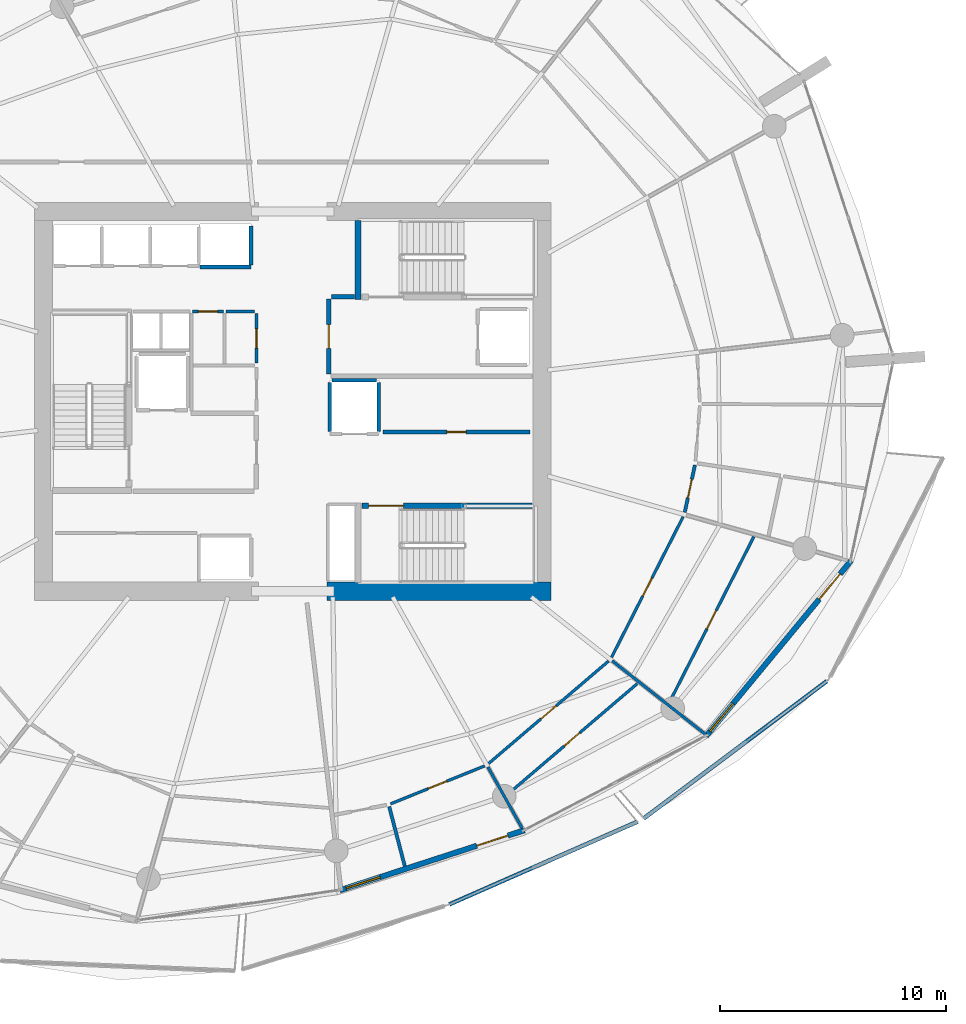
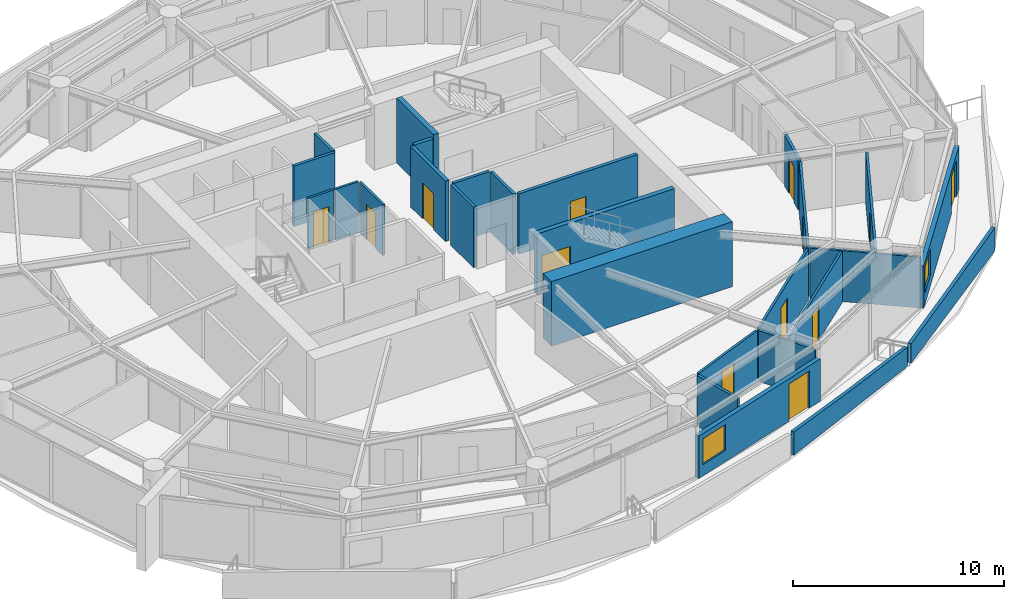
# One storey, part 13 of 20: 27 walls, 13 doors, 2 windows, 15 openings.
"""IFC4 building model written with IfcOpenShell, lengths in metres."""

from ifc_helpers import new_model, si_unit, direction, frame, frame_2d, origin, place, context, subcontext, project, spatial, polyline, rectangle, outline, extrude, material, layer, layer_set, type_object, element, fill, save


model = new_model("IFC4")

# Units and contexts
model_context = context("Model", 3, precision=1e-05, world=origin(), true_north=direction((0.0, 1.0)))
body_context = subcontext(model_context, "Body", "Model", "MODEL_VIEW")
ifc_project = project(units=[si_unit("LENGTHUNIT", "METRE"), si_unit("AREAUNIT", "SQUARE_METRE"), si_unit("VOLUMEUNIT", "CUBIC_METRE"), si_unit("PLANEANGLEUNIT", "RADIAN"), si_unit("MASSUNIT", "GRAM", prefix="KILO")], contexts=[model_context])

# Site, building, storey
site_placement = place(None, origin())
site = spatial("IfcSite", under=ifc_project, at=site_placement, CompositionType="ELEMENT")
building_placement = place(site_placement, origin())
building = spatial("IfcBuilding", under=site, at=building_placement, Name="Kazma Halo Residences", CompositionType="ELEMENT")
storey_placement = place(building_placement, frame((0.0, 0.0, 146.550048828125)))
storey = spatial("IfcBuildingStorey", under=building, at=storey_placement, Name="L36", CompositionType="ELEMENT", Elevation=146.550048828125)

# Walls
ifc_material_1 = material(Name="White Concrete C50/60 Balustrade", Category="concrete")
ifc_layer_1 = layer(ifc_material_1, 0.179931640625)
ifc_layer_set_1 = layer_set([ifc_layer_1], Name="White Concrete C50/60 Balustrade")
wall_type_1 = type_object("IfcWallType", Name="WL-BAL-WAVE-180", PredefinedType="PARAPET", material=ifc_layer_set_1)
wall_1_placement = place(storey_placement, frame((55.355712890625, 19.747314453125, 0.0), z_axis=(0.0, 0.0, 1.0), x_axis=(0.915409194146, 0.402524542448, 0.0)))
element("IfcWall", 1, at=wall_1_placement, inside=storey, type_object=wall_type_1, Name="L36 white wave balustrade wall SSE.2", PredefinedType="PARAPET", context=body_context, shape_type="SweptSolid", body=[
    extrude(outline(polyline([(0.0, 0.0), (9.0966796875, 0.0), (9.0966796875, 1.119873046875), (4.54833984375, 1.181884765625), (0.0, 1.347900390625), (0.0, 0.0)])), frame((0.0, 0.08984375, 0.0), z_axis=(0.0, -1.0, 0.0), x_axis=(1.0, 0.0, 0.0)), (0.0, 0.0, 1.0), 0.179931640625),
])
wall_2_placement = place(storey_placement, frame((63.95361328125, 23.550048828125, 0.0), z_axis=(0.0, 0.0, 1.0), x_axis=(0.800078127259, 0.599895816189, 0.0)))
element("IfcWall", 2, at=wall_2_placement, inside=storey, type_object=wall_type_1, Name="L36 white wave balustrade wall SE.1", PredefinedType="PARAPET", context=body_context, shape_type="SweptSolid", body=[
    extrude(outline(polyline([(0.0, 0.0), (10.123779296875, 0.0), (10.123779296875, 1.347900390625), (5.061767578125, 1.181884765625), (0.0, 1.119873046875), (0.0, 0.0)])), frame((0.0, 0.08984375, 0.0), z_axis=(0.0, -1.0, 0.0), x_axis=(1.0, 0.0, 0.0)), (0.0, 0.0, 1.0), 0.179931640625),
])
ifc_material_2 = material(Name="Concrete C80/95", Category="concrete")
ifc_layer_2 = layer(ifc_material_2, 0.800048828125)
ifc_layer_set_2 = layer_set([ifc_layer_2], Name="Concrete C80/95")
wall_type_2 = type_object("IfcWallType", Name="WL-CORE-800", PredefinedType="SHEAR", material=ifc_layer_set_2)
wall_3_placement = place(storey_placement, frame((49.949951171875, 33.60009765625, 0.0), z_axis=(0.0, 0.0, 1.0), x_axis=(1.0, 0.0, 0.0)))
element("IfcWall", 3, at=wall_3_placement, inside=storey, type_object=wall_type_2, Name="L36 central core shear wall SE", PredefinedType="SHEAR", context=body_context, shape_type="SweptSolid", body=[
    extrude(rectangle(XDim=9.900146484375, YDim=0.800048828125, at=frame_2d((4.9501953125, 0.0))), origin(), (0.0, 0.0, 1.0), 3.75),
])
ifc_material_3 = material(Name="Concrete C60/75", Category="concrete")
ifc_layer_3 = layer(ifc_material_3, 0.280029296875)
ifc_layer_set_3 = layer_set([ifc_layer_3], Name="Concrete C60/75")
wall_type_3 = type_object("IfcWallType", Name="WL-CORE-ST-280", PredefinedType="SHEAR", material=ifc_layer_set_3)
wall_4_placement = place(storey_placement, frame((51.31005859375, 46.5, 0.0), z_axis=(0.0, 0.0, 1.0), x_axis=(0.0, 1.0, 0.0)))
element("IfcWall", 4, at=wall_4_placement, inside=storey, type_object=wall_type_3, Name="L36 stairwell bearing wall ST02-W", PredefinedType="SHEAR", context=body_context, shape_type="SweptSolid", body=[
    extrude(rectangle(XDim=3.5, YDim=0.280029296875, at=frame_2d((1.75, 0.0))), origin(), (0.0, 0.0, 1.0), 3.75),
])

# Wall, openings, door, window
ifc_material_4 = material(Name="Insulated Pale-Metal Composite Wall")
ifc_layer_4 = layer(ifc_material_4, 0.239990234375)
ifc_layer_set_4 = layer_set([ifc_layer_4], Name="Insulated Pale-Metal Composite Wall")
wall_type_4 = type_object("IfcWallType", Name="WL-EXT-HOST-240", PredefinedType="SOLIDWALL", material=ifc_layer_set_4)
wall_5_placement = place(storey_placement, frame((50.510009765625, 20.375732421875, 0.0), z_axis=(0.0, 0.0, 1.0), x_axis=(0.951046390632, 0.309048156224, 0.0)))
wall_5 = element("IfcWall", 5, at=wall_5_placement, inside=storey, type_object=wall_type_4, Name="L36 exterior terrace-access wall B12", PredefinedType="SOLIDWALL", context=body_context, shape_type="SweptSolid", body=[
    extrude(rectangle(XDim=8.590087890625, YDim=0.239990234375, at=frame_2d((4.294921875, 0.0))), origin(), (0.0, 0.0, 1.0), 2.449951171875),
])
opening_1_placement = place(wall_5_placement, frame((6.370361328125, 0.0, 0.0)))
opening_1 = element("IfcOpeningElement", 6, at=opening_1_placement, cuts=wall_5, Name="Opening DTR-1600", PredefinedType="OPENING", context=body_context, shape_type="SweptSolid", body=[
    extrude(rectangle(XDim=1.449951171875, YDim=2.14990234375, at=frame_2d((0.72509765625, 1.074951171875))), frame((0.0, 0.1298828125, 0.0), z_axis=(0.0, -1.0, 0.0), x_axis=(1.0, 0.0, 0.0)), (0.0, 0.0, 1.0), 0.260009765625),
])
opening_2_placement = place(wall_5_placement, frame((0.280029296875, 0.0, 0.64990234375)))
opening_2 = element("IfcOpeningElement", 7, at=opening_2_placement, cuts=wall_5, Name="Opening W-1800", PredefinedType="OPENING", context=body_context, shape_type="SweptSolid", body=[
    extrude(rectangle(XDim=1.60009765625, YDim=1.5, at=frame_2d((0.800048828125, 0.75))), frame((0.0, 0.1298828125, 0.0), z_axis=(0.0, -1.0, 0.0), x_axis=(1.0, 0.0, 0.0)), (0.0, 0.0, 1.0), 0.260009765625),
])
ifc_material_5 = material(Name="Aluminium AW-6063 T6 Double-Glazed Terrace Door", Category="aluminium")
door_type_1 = type_object("IfcDoorType", Name="DR-EXT-TERR-1600", OperationType="NOTDEFINED", PredefinedType="DOOR", material=ifc_material_5)
door_1_placement = place(opening_1_placement, origin())
door_1 = element("IfcDoor", 8, at=door_1_placement, inside=storey, type_object=door_type_1, Name="L36 B12 balcony terrace door", OperationType="DOUBLE_DOOR_SLIDING", OverallHeight=2.14990234375, OverallWidth=1.449951171875, PredefinedType="DOOR", context=body_context, shape_type="SweptSolid", body=[
    extrude(rectangle(XDim=1.449951171875, YDim=2.14990234375, at=frame_2d((0.72509765625, 1.074951171875))), frame((0.0, 0.02490234375, 0.0), z_axis=(0.0, -1.0, 0.0), x_axis=(1.0, 0.0, 0.0)), (0.0, 0.0, 1.0), 0.050048828125),
])
fill(opening_1, door_1)
ifc_material_6 = material(Name="Clear Triple-Silver Low-E Glass in Aluminium AW-6063 T6 Frame", Category="aluminium")
window_type = type_object("IfcWindowType", Name="WIN-RES-1800", PartitioningType="DOUBLE_PANEL_VERTICAL", PredefinedType="WINDOW", material=ifc_material_6)
window_1_placement = place(opening_2_placement, origin())
window_1 = element("IfcWindow", 9, at=window_1_placement, inside=storey, type_object=window_type, Name="L36 B12 apartment window", OverallHeight=1.5, OverallWidth=1.60009765625, PartitioningType="SINGLE_PANEL", PredefinedType="WINDOW", context=body_context, shape_type="SweptSolid", body=[
    extrude(rectangle(XDim=1.60009765625, YDim=1.5, at=frame_2d((0.800048828125, 0.75))), frame((0.0, 0.030029296875, 0.0), z_axis=(0.0, -1.0, 0.0), x_axis=(1.0, 0.0, 0.0)), (0.0, 0.0, 1.0), 0.06005859375),
])
fill(opening_2, window_1)

wall_6_placement = place(storey_placement, frame((66.70947265625, 27.18701171875, 0.0), z_axis=(0.0, 0.0, 1.0), x_axis=(0.636771922292, 0.77105221547, 0.0)))
wall_6 = element("IfcWall", 10, at=wall_6_placement, inside=storey, type_object=wall_type_4, Name="L36 exterior terrace-access wall B14", PredefinedType="SOLIDWALL", context=body_context, shape_type="SweptSolid", body=[
    extrude(rectangle(XDim=10.08154296875, YDim=0.239990234375, at=frame_2d((5.040771484375, 0.0))), origin(), (0.0, 0.0, 1.0), 2.449951171875),
])
opening_3_placement = place(wall_6_placement, frame((7.861572265625, 0.0, 0.0)))
opening_3 = element("IfcOpeningElement", 11, at=opening_3_placement, cuts=wall_6, Name="Opening DTR-1600", PredefinedType="OPENING", context=body_context, shape_type="SweptSolid", body=[
    extrude(rectangle(XDim=1.449951171875, YDim=2.14990234375, at=frame_2d((0.72509765625, 1.074951171875))), frame((0.0, 0.1298828125, 0.0), z_axis=(0.0, -1.0, 0.0), x_axis=(1.0, 0.0, 0.0)), (0.0, 0.0, 1.0), 0.260009765625),
])
opening_4_placement = place(wall_6_placement, frame((0.280029296875, 0.0, 0.64990234375)))
opening_4 = element("IfcOpeningElement", 12, at=opening_4_placement, cuts=wall_6, Name="Opening W-1800", PredefinedType="OPENING", context=body_context, shape_type="SweptSolid", body=[
    extrude(rectangle(XDim=1.60009765625, YDim=1.5, at=frame_2d((0.800048828125, 0.75))), frame((0.0, 0.1298828125, 0.0), z_axis=(0.0, -1.0, 0.0), x_axis=(1.0, 0.0, 0.0)), (0.0, 0.0, 1.0), 0.260009765625),
])
door_2_placement = place(opening_3_placement, origin())
door_2 = element("IfcDoor", 13, at=door_2_placement, inside=storey, type_object=door_type_1, Name="L36 B14 balcony terrace door", OperationType="DOUBLE_DOOR_SLIDING", OverallHeight=2.14990234375, OverallWidth=1.449951171875, PredefinedType="DOOR", context=body_context, shape_type="SweptSolid", body=[
    extrude(rectangle(XDim=1.449951171875, YDim=2.14990234375, at=frame_2d((0.72509765625, 1.074951171875))), frame((0.0, 0.02490234375, 0.0), z_axis=(0.0, -1.0, 0.0), x_axis=(1.0, 0.0, 0.0)), (0.0, 0.0, 1.0), 0.050048828125),
])
fill(opening_3, door_2)
window_2_placement = place(opening_4_placement, origin())
window_2 = element("IfcWindow", 14, at=window_2_placement, inside=storey, type_object=window_type, Name="L36 B14 apartment window", OverallHeight=1.5, OverallWidth=1.60009765625, PartitioningType="SINGLE_PANEL", PredefinedType="WINDOW", context=body_context, shape_type="SweptSolid", body=[
    extrude(rectangle(XDim=1.60009765625, YDim=1.5, at=frame_2d((0.800048828125, 0.75))), frame((0.0, 0.030029296875, 0.0), z_axis=(0.0, -1.0, 0.0), x_axis=(1.0, 0.0, 0.0)), (0.0, 0.0, 1.0), 0.06005859375),
])
fill(opening_4, window_2)

# Walls
ifc_material_7 = material(Name="Fire-Rated Blockwork Masonry", Category="masonry")
ifc_layer_5 = layer(ifc_material_7, 0.199951171875)
ifc_layer_set_5 = layer_set([ifc_layer_5], Name="Fire-Rated Blockwork Masonry")
wall_type_5 = type_object("IfcWallType", Name="WL-FLB-200", PredefinedType="PARTITIONING", material=ifc_layer_set_5)
wall_7_placement = place(storey_placement, frame((46.580078125, 47.945068359375, 0.0), z_axis=(0.0, 0.0, 1.0), x_axis=(-1.0, 0.0, 0.0)))
element("IfcWall", 15, at=wall_7_placement, inside=storey, type_object=wall_type_5, Name="L36 lift shaft PX-01 front wall", PredefinedType="PARTITIONING", context=body_context, shape_type="SweptSolid", body=[
    extrude(rectangle(XDim=2.260009765625, YDim=0.159912109375, at=frame_2d((1.1298828125, 0.0))), origin(), (0.0, 0.0, 1.0), 3.5),
])
wall_8_placement = place(storey_placement, frame((46.580078125, 48.044921875, 0.0), z_axis=(0.0, 0.0, 1.0), x_axis=(0.0, 1.0, 0.0)))
element("IfcWall", 16, at=wall_8_placement, inside=storey, type_object=wall_type_5, Name="L36 lift shaft PX-01 side wall E", PredefinedType="PARTITIONING", context=body_context, shape_type="SweptSolid", body=[
    extrude(rectangle(XDim=1.7099609375, YDim=0.159912109375, at=frame_2d((0.85498046875, 0.0))), origin(), (0.0, 0.0, 1.0), 3.5),
])
for number, where, z_axis, x_axis, name in (
    (17, (52.22998046875, 40.669921875, 0.0), (0.0, 0.0, 1.0), (0.0, 1.0, 0.0), "L36 lift shaft SV-01 side wall E"),
    (18, (50.070068359375, 40.669921875, 0.0), (0.0, 0.0, 1.0), (0.0, 1.0, 0.0), "L36 lift shaft SV-01 side wall W"),
):
    element("IfcWall", number, at=place(storey_placement, frame(where, z_axis=z_axis, x_axis=x_axis)), inside=storey, type_object=wall_type_5, Name=name, PredefinedType="PARTITIONING", context=body_context, shape_type="SweptSolid", body=[
        extrude(rectangle(XDim=2.16015625, YDim=0.159912109375, at=frame_2d((1.080078125, 0.0))), origin(), (0.0, 0.0, 1.0), 3.5),
    ])
wall_9_placement = place(storey_placement, frame((50.169921875, 42.929931640625, 0.0), z_axis=(0.0, 0.0, 1.0), x_axis=(1.0, 0.0, 0.0)))
element("IfcWall", 19, at=wall_9_placement, inside=storey, type_object=wall_type_5, Name="L36 lift shaft SV-01 side wall N", PredefinedType="PARTITIONING", context=body_context, shape_type="SweptSolid", body=[
    extrude(rectangle(XDim=1.9599609375, YDim=0.159912109375, at=frame_2d((0.97998046875, 0.0))), origin(), (0.0, 0.0, 1.0), 3.5),
])

# Wall, opening, door
wall_10_placement = place(storey_placement, frame((52.419921875, 40.64990234375, 0.0), z_axis=(0.0, 0.0, 1.0), x_axis=(1.0, 0.0, 0.0)))
wall_10 = element("IfcWall", 20, at=wall_10_placement, inside=storey, type_object=wall_type_5, Name="L36 core east reserve wall", PredefinedType="PARTITIONING", context=body_context, shape_type="SweptSolid", body=[
    extrude(rectangle(XDim=6.5, YDim=0.179931640625, at=frame_2d((3.25, 0.0))), origin(), (0.0, 0.0, 1.0), 3.5),
])
opening_5_placement = place(wall_10_placement, frame((2.824951171875, 0.0, 0.0)))
opening_5 = element("IfcOpeningElement", 21, at=opening_5_placement, cuts=wall_10, Name="Opening DS-850", PredefinedType="OPENING", context=body_context, shape_type="SweptSolid", body=[
    extrude(rectangle(XDim=0.85009765625, YDim=2.06005859375, at=frame_2d((0.425048828125, 1.030029296875))), frame((0.0, 0.099853515625, 0.0), z_axis=(0.0, -1.0, 0.0), x_axis=(1.0, 0.0, 0.0)), (0.0, 0.0, 1.0), 0.199951171875),
])
ifc_material_8 = material(Name="Painted Steel Access Leaf", Category="steel")
door_type_2 = type_object("IfcDoorType", Name="DR-SVC-850", OperationType="NOTDEFINED", PredefinedType="DOOR", material=ifc_material_8)
door_3_placement = place(opening_5_placement, origin())
door_3 = element("IfcDoor", 22, at=door_3_placement, inside=storey, type_object=door_type_2, Name="L36 core east reserve door", OperationType="SINGLE_SWING_LEFT", OverallHeight=2.06005859375, OverallWidth=0.85009765625, PredefinedType="DOOR", context=body_context, shape_type="SweptSolid", body=[
    extrude(rectangle(XDim=0.85009765625, YDim=2.06005859375, at=frame_2d((0.425048828125, 1.030029296875))), frame((0.0, 0.02490234375, 0.0), z_axis=(0.0, -1.0, 0.0), x_axis=(1.0, 0.0, 0.0)), (0.0, 0.0, 1.0), 0.050048828125),
])
fill(opening_5, door_3)

# Wall
wall_11_placement = place(storey_placement, frame((50.139892578125, 46.6201171875, 0.0), z_axis=(0.0, 0.0, 1.0), x_axis=(1.0, 0.0, 0.0)))
element("IfcWall", 23, at=wall_11_placement, inside=storey, type_object=wall_type_5, Name="L36 east firefighting lobby north closure wall", PredefinedType="PARTITIONING", context=body_context, shape_type="SweptSolid", body=[
    extrude(rectangle(XDim=1.02001953125, YDim=0.199951171875, at=frame_2d((0.510009765625, 0.0))), origin(), (0.0, 0.0, 1.0), 3.5),
])

# Wall, opening, door
wall_12_placement = place(storey_placement, frame((50.02001953125, 43.219970703125, 0.0), z_axis=(0.0, 0.0, 1.0), x_axis=(0.0, 1.0, 0.0)))
wall_12 = element("IfcWall", 24, at=wall_12_placement, inside=storey, type_object=wall_type_5, Name="L36 east firefighting lobby smoke wall", PredefinedType="PARTITIONING", context=body_context, shape_type="SweptSolid", body=[
    extrude(rectangle(XDim=3.300048828125, YDim=0.199951171875, at=frame_2d((1.64990234375, 0.0))), origin(), (0.0, 0.0, 1.0), 3.5),
])
opening_6_placement = place(wall_12_placement, frame((1.125, 0.0, 0.0)))
opening_6 = element("IfcOpeningElement", 25, at=opening_6_placement, cuts=wall_12, Name="Opening D-FLE", PredefinedType="OPENING", context=body_context, shape_type="SweptSolid", body=[
    extrude(rectangle(XDim=1.050048828125, YDim=2.10009765625, at=frame_2d((0.52490234375, 1.050048828125))), frame((0.0, 0.10986328125, 0.0), z_axis=(0.0, -1.0, 0.0), x_axis=(1.0, 0.0, 0.0)), (0.0, 0.0, 1.0), 0.219970703125),
])
ifc_material_9 = material(Name="Fire-Rated Steel Leaf", Category="steel")
door_type_3 = type_object("IfcDoorType", Name="DR-FD90-1050", OperationType="NOTDEFINED", PredefinedType="DOOR", material=ifc_material_9)
door_4_placement = place(opening_6_placement, origin())
door_4 = element("IfcDoor", 26, at=door_4_placement, inside=storey, type_object=door_type_3, Name="L36 east firefighting lobby smoke door", OperationType="SINGLE_SWING_RIGHT", OverallHeight=2.10009765625, OverallWidth=1.050048828125, PredefinedType="DOOR", context=body_context, shape_type="SweptSolid", body=[
    extrude(rectangle(XDim=1.050048828125, YDim=2.10009765625, at=frame_2d((0.52490234375, 1.050048828125))), frame((0.0, 0.02490234375, 0.0), z_axis=(0.0, -1.0, 0.0), x_axis=(1.0, 0.0, 0.0)), (0.0, 0.0, 1.0), 0.050048828125),
])
fill(opening_6, door_4)

ifc_material_10 = material(Name="Gypsum Plasterboard Partition")
ifc_layer_6 = layer(ifc_material_10, 0.125)
ifc_layer_set_6 = layer_set([ifc_layer_6], Name="Gypsum Plasterboard Partition")
wall_type_6 = type_object("IfcWallType", Name="WL-PART-125", PredefinedType="PARTITIONING", material=ifc_layer_set_6)
wall_13_placement = place(storey_placement, frame((46.820068359375, 43.68994140625, 0.0), z_axis=(0.0, 0.0, 1.0), x_axis=(0.0, 1.0, 0.0)))
wall_13 = element("IfcWall", 27, at=wall_13_placement, inside=storey, type_object=wall_type_6, Name="L36 sub-metering east wall", PredefinedType="PARTITIONING", context=body_context, shape_type="SweptSolid", body=[
    extrude(rectangle(XDim=2.18994140625, YDim=0.125, at=frame_2d((1.094970703125, 0.0))), origin(), (0.0, 0.0, 1.0), 2.93994140625),
])
opening_7_placement = place(wall_13_placement, frame((0.669921875, 0.0, 0.0)))
opening_7 = element("IfcOpeningElement", 28, at=opening_7_placement, cuts=wall_13, Name="Opening DS-850", PredefinedType="OPENING", context=body_context, shape_type="SweptSolid", body=[
    extrude(rectangle(XDim=0.85009765625, YDim=2.06005859375, at=frame_2d((0.425048828125, 1.030029296875))), frame((0.0, 0.072509765625, 0.0), z_axis=(0.0, -1.0, 0.0), x_axis=(1.0, 0.0, 0.0)), (0.0, 0.0, 1.0), 0.14501953125),
])
door_5_placement = place(opening_7_placement, origin())
door_5 = element("IfcDoor", 29, at=door_5_placement, inside=storey, type_object=door_type_2, Name="L36 sub-metering door", OperationType="SINGLE_SWING_RIGHT", OverallHeight=2.06005859375, OverallWidth=0.85009765625, PredefinedType="DOOR", context=body_context, shape_type="SweptSolid", body=[
    extrude(rectangle(XDim=0.85009765625, YDim=2.06005859375, at=frame_2d((0.425048828125, 1.030029296875))), frame((0.0, 0.02490234375, 0.0), z_axis=(0.0, -1.0, 0.0), x_axis=(1.0, 0.0, 0.0)), (0.0, 0.0, 1.0), 0.050048828125),
])
fill(opening_7, door_5)

wall_14_placement = place(storey_placement, frame((43.989990234375, 45.97998046875, 0.0), z_axis=(0.0, 0.0, 1.0), x_axis=(1.0, 0.0, 0.0)))
wall_14 = element("IfcWall", 30, at=wall_14_placement, inside=storey, type_object=wall_type_6, Name="L36 cleaners cupboard north wall", PredefinedType="PARTITIONING", context=body_context, shape_type="SweptSolid", body=[
    extrude(rectangle(XDim=1.380126953125, YDim=0.125, at=frame_2d((0.68994140625, 0.0))), origin(), (0.0, 0.0, 1.0), 2.93994140625),
])
opening_8_placement = place(wall_14_placement, frame((0.264892578125, 0.0, 0.0)))
opening_8 = element("IfcOpeningElement", 31, at=opening_8_placement, cuts=wall_14, Name="Opening DS-850", PredefinedType="OPENING", context=body_context, shape_type="SweptSolid", body=[
    extrude(rectangle(XDim=0.85009765625, YDim=2.06005859375, at=frame_2d((0.425048828125, 1.030029296875))), frame((0.0, 0.072509765625, 0.0), z_axis=(0.0, -1.0, 0.0), x_axis=(1.0, 0.0, 0.0)), (0.0, 0.0, 1.0), 0.14501953125),
])
door_6_placement = place(opening_8_placement, origin())
door_6 = element("IfcDoor", 32, at=door_6_placement, inside=storey, type_object=door_type_2, Name="L36 cleaners cupboard door", OperationType="SINGLE_SWING_LEFT", OverallHeight=2.06005859375, OverallWidth=0.85009765625, PredefinedType="DOOR", context=body_context, shape_type="SweptSolid", body=[
    extrude(rectangle(XDim=0.85009765625, YDim=2.06005859375, at=frame_2d((0.425048828125, 1.030029296875))), frame((0.0, 0.02490234375, 0.0), z_axis=(0.0, -1.0, 0.0), x_axis=(1.0, 0.0, 0.0)), (0.0, 0.0, 1.0), 0.050048828125),
])
fill(opening_8, door_6)

# Wall
wall_15_placement = place(storey_placement, frame((45.47998046875, 45.97998046875, 0.0), z_axis=(0.0, 0.0, 1.0), x_axis=(1.0, 0.0, 0.0)))
element("IfcWall", 33, at=wall_15_placement, inside=storey, type_object=wall_type_6, Name="L36 sub-metering north wall", PredefinedType="PARTITIONING", context=body_context, shape_type="SweptSolid", body=[
    extrude(rectangle(XDim=1.260009765625, YDim=0.125, at=frame_2d((0.6298828125, 0.0))), origin(), (0.0, 0.0, 1.0), 2.93994140625),
])

# Wall, opening, door
wall_16_placement = place(storey_placement, frame((52.753173828125, 24.19580078125, 0.0), z_axis=(0.0, 0.0, 1.0), x_axis=(0.927460636041, 0.373920805243, 0.0)))
wall_16 = element("IfcWall", 34, at=wall_16_placement, inside=storey, type_object=wall_type_6, Name="L36 Apartment 2 Gourmet Kitchen hall wall", PredefinedType="PARTITIONING", context=body_context, shape_type="SweptSolid", body=[
    extrude(rectangle(XDim=4.489501953125, YDim=0.125, at=frame_2d((2.24462890625, 0.0))), origin(), (0.0, 0.0, 1.0), 2.93994140625),
])
opening_9_placement = place(wall_16_placement, frame((1.794677734375, 0.0, 0.0)))
opening_9 = element("IfcOpeningElement", 35, at=opening_9_placement, cuts=wall_16, Name="Opening DI-950", PredefinedType="OPENING", context=body_context, shape_type="SweptSolid", body=[
    extrude(rectangle(XDim=0.89990234375, YDim=2.080078125, at=frame_2d((0.449951171875, 1.0400390625))), frame((0.0, 0.072509765625, 0.0), z_axis=(0.0, -1.0, 0.0), x_axis=(1.0, 0.0, 0.0)), (0.0, 0.0, 1.0), 0.14501953125),
])
ifc_material_11 = material(Name="Timber Veneer Flush Leaf", Category="wood")
door_type_4 = type_object("IfcDoorType", Name="DR-INT-950", OperationType="NOTDEFINED", PredefinedType="DOOR", material=ifc_material_11)
door_7_placement = place(opening_9_placement, origin())
door_7 = element("IfcDoor", 36, at=door_7_placement, inside=storey, type_object=door_type_4, Name="L36 Apartment 2 Gourmet Kitchen door", OperationType="SINGLE_SWING_RIGHT", OverallHeight=2.080078125, OverallWidth=0.89990234375, PredefinedType="DOOR", context=body_context, shape_type="SweptSolid", body=[
    extrude(rectangle(XDim=0.89990234375, YDim=2.080078125, at=frame_2d((0.449951171875, 1.0400390625))), frame((0.0, 0.02490234375, 0.0), z_axis=(0.0, -1.0, 0.0), x_axis=(1.0, 0.0, 0.0)), (0.0, 0.0, 1.0), 0.050048828125),
])
fill(opening_9, door_7)

# Wall
wall_17_placement = place(storey_placement, frame((57.05859375, 25.82470703125, 0.0), z_axis=(0.0, 0.0, 1.0), x_axis=(0.488620181058, -0.872496600946, 0.0)))
element("IfcWall", 37, at=wall_17_placement, inside=storey, type_object=wall_type_6, Name="L36 Apartment 2 radial partition 12", PredefinedType="PARTITIONING", context=body_context, shape_type="SweptSolid", body=[
    extrude(rectangle(XDim=3.095458984375, YDim=0.125, at=frame_2d((1.5478515625, 0.0))), origin(), (0.0, 0.0, 1.0), 2.93994140625),
])

# Wall, opening, door
wall_18_placement = place(storey_placement, frame((57.09326171875, 25.9833984375, 0.0), z_axis=(0.0, 0.0, 1.0), x_axis=(0.76040680935, 0.649447060425, 0.0)))
wall_18 = element("IfcWall", 38, at=wall_18_placement, inside=storey, type_object=wall_type_6, Name="L36 Apartment 2 Primary Study hall wall", PredefinedType="PARTITIONING", context=body_context, shape_type="SweptSolid", body=[
    extrude(rectangle(XDim=6.974853515625, YDim=0.125, at=frame_2d((3.4873046875, 0.0))), origin(), (0.0, 0.0, 1.0), 2.93994140625),
])
opening_10_placement = place(wall_18_placement, frame((3.037353515625, 0.0, 0.0)))
opening_10 = element("IfcOpeningElement", 39, at=opening_10_placement, cuts=wall_18, Name="Opening DI-950", PredefinedType="OPENING", context=body_context, shape_type="SweptSolid", body=[
    extrude(rectangle(XDim=0.89990234375, YDim=2.080078125, at=frame_2d((0.449951171875, 1.0400390625))), frame((0.0, 0.072509765625, 0.0), z_axis=(0.0, -1.0, 0.0), x_axis=(1.0, 0.0, 0.0)), (0.0, 0.0, 1.0), 0.14501953125),
])
door_8_placement = place(opening_10_placement, origin())
door_8 = element("IfcDoor", 40, at=door_8_placement, inside=storey, type_object=door_type_4, Name="L36 Apartment 2 Primary Study door", OperationType="SINGLE_SWING_LEFT", OverallHeight=2.080078125, OverallWidth=0.89990234375, PredefinedType="DOOR", context=body_context, shape_type="SweptSolid", body=[
    extrude(rectangle(XDim=0.89990234375, YDim=2.080078125, at=frame_2d((0.449951171875, 1.0400390625))), frame((0.0, 0.02490234375, 0.0), z_axis=(0.0, -1.0, 0.0), x_axis=(1.0, 0.0, 0.0)), (0.0, 0.0, 1.0), 0.050048828125),
])
fill(opening_10, door_8)

wall_19_placement = place(storey_placement, frame((57.88232421875, 24.574462890625, 0.0), z_axis=(0.0, 0.0, 1.0), x_axis=(0.760417937401, 0.649434030891, 0.0)))
wall_19 = element("IfcWall", 41, at=wall_19_placement, inside=storey, type_object=wall_type_6, Name="L36 Apartment 2 Secondary Bedroom divider wall", PredefinedType="PARTITIONING", context=body_context, shape_type="SweptSolid", body=[
    extrude(rectangle(XDim=7.604736328125, YDim=0.125, at=frame_2d((3.80224609375, 0.0))), origin(), (0.0, 0.0, 1.0), 2.93994140625),
])
opening_11_placement = place(wall_19_placement, frame((3.352294921875, 0.0, 0.0)))
opening_11 = element("IfcOpeningElement", 42, at=opening_11_placement, cuts=wall_19, Name="Opening DI-950", PredefinedType="OPENING", context=body_context, shape_type="SweptSolid", body=[
    extrude(rectangle(XDim=0.89990234375, YDim=2.080078125, at=frame_2d((0.449951171875, 1.0400390625))), frame((0.0, 0.072509765625, 0.0), z_axis=(0.0, -1.0, 0.0), x_axis=(1.0, 0.0, 0.0)), (0.0, 0.0, 1.0), 0.14501953125),
])
door_9_placement = place(opening_11_placement, origin())
door_9 = element("IfcDoor", 43, at=door_9_placement, inside=storey, type_object=door_type_4, Name="L36 Apartment 2 Secondary Bedroom door", OperationType="SINGLE_SWING_RIGHT", OverallHeight=2.080078125, OverallWidth=0.89990234375, PredefinedType="DOOR", context=body_context, shape_type="SweptSolid", body=[
    extrude(rectangle(XDim=0.89990234375, YDim=2.080078125, at=frame_2d((0.449951171875, 1.0400390625))), frame((0.0, 0.02490234375, 0.0), z_axis=(0.0, -1.0, 0.0), x_axis=(1.0, 0.0, 0.0)), (0.0, 0.0, 1.0), 0.050048828125),
])
fill(opening_11, door_9)

# Wall
wall_20_placement = place(storey_placement, frame((62.55908203125, 30.522705078125, 0.0), z_axis=(0.0, 0.0, 1.0), x_axis=(0.785319981095, -0.619090080112, 0.0)))
element("IfcWall", 44, at=wall_20_placement, inside=storey, type_object=wall_type_6, Name="L36 Apartment 2 radial partition 13", PredefinedType="PARTITIONING", context=body_context, shape_type="SweptSolid", body=[
    extrude(rectangle(XDim=5.300537109375, YDim=0.125, at=frame_2d((2.650390625, 0.0))), origin(), (0.0, 0.0, 1.0), 2.93994140625),
])

# Wall, opening, door
wall_21_placement = place(storey_placement, frame((62.530517578125, 30.6826171875, 0.0), z_axis=(0.0, 0.0, 1.0), x_axis=(0.453977694262, 0.891013048789, 0.0)))
wall_21 = element("IfcWall", 45, at=wall_21_placement, inside=storey, type_object=wall_type_6, Name="L36 Apartment 2 East Study hall wall", PredefinedType="PARTITIONING", context=body_context, shape_type="SweptSolid", body=[
    extrude(rectangle(XDim=6.974365234375, YDim=0.125, at=frame_2d((3.4873046875, 0.0))), origin(), (0.0, 0.0, 1.0), 2.93994140625),
])
opening_12_placement = place(wall_21_placement, frame((3.037353515625, 0.0, 0.0)))
opening_12 = element("IfcOpeningElement", 46, at=opening_12_placement, cuts=wall_21, Name="Opening DI-950", PredefinedType="OPENING", context=body_context, shape_type="SweptSolid", body=[
    extrude(rectangle(XDim=0.89990234375, YDim=2.080078125, at=frame_2d((0.449951171875, 1.0400390625))), frame((0.0, 0.072509765625, 0.0), z_axis=(0.0, -1.0, 0.0), x_axis=(1.0, 0.0, 0.0)), (0.0, 0.0, 1.0), 0.14501953125),
])
door_10_placement = place(opening_12_placement, origin())
door_10 = element("IfcDoor", 47, at=door_10_placement, inside=storey, type_object=door_type_4, Name="L36 Apartment 2 East Study door", OperationType="SINGLE_SWING_RIGHT", OverallHeight=2.080078125, OverallWidth=0.89990234375, PredefinedType="DOOR", context=body_context, shape_type="SweptSolid", body=[
    extrude(rectangle(XDim=0.89990234375, YDim=2.080078125, at=frame_2d((0.449951171875, 1.0400390625))), frame((0.0, 0.02490234375, 0.0), z_axis=(0.0, -1.0, 0.0), x_axis=(1.0, 0.0, 0.0)), (0.0, 0.0, 1.0), 0.050048828125),
])
fill(opening_12, door_10)

wall_22_placement = place(storey_placement, frame((65.081787109375, 28.671142578125, 0.0), z_axis=(0.0, 0.0, 1.0), x_axis=(0.454001657521, 0.891000838927, 0.0)))
wall_22 = element("IfcWall", 48, at=wall_22_placement, inside=storey, type_object=wall_type_6, Name="L36 Apartment 2 West Bedroom divider wall", PredefinedType="PARTITIONING", context=body_context, shape_type="SweptSolid", body=[
    extrude(rectangle(XDim=8.2421875, YDim=0.125, at=frame_2d((4.12109375, 0.0))), origin(), (0.0, 0.0, 1.0), 2.93994140625),
])
opening_13_placement = place(wall_22_placement, frame((3.671142578125, 0.0, 0.0)))
opening_13 = element("IfcOpeningElement", 49, at=opening_13_placement, cuts=wall_22, Name="Opening DI-950", PredefinedType="OPENING", context=body_context, shape_type="SweptSolid", body=[
    extrude(rectangle(XDim=0.89990234375, YDim=2.080078125, at=frame_2d((0.449951171875, 1.0400390625))), frame((0.0, 0.072509765625, 0.0), z_axis=(0.0, -1.0, 0.0), x_axis=(1.0, 0.0, 0.0)), (0.0, 0.0, 1.0), 0.14501953125),
])
door_11_placement = place(opening_13_placement, origin())
door_11 = element("IfcDoor", 50, at=door_11_placement, inside=storey, type_object=door_type_4, Name="L36 Apartment 2 West Bedroom door", OperationType="SINGLE_SWING_LEFT", OverallHeight=2.080078125, OverallWidth=0.89990234375, PredefinedType="DOOR", context=body_context, shape_type="SweptSolid", body=[
    extrude(rectangle(XDim=0.89990234375, YDim=2.080078125, at=frame_2d((0.449951171875, 1.0400390625))), frame((0.0, 0.02490234375, 0.0), z_axis=(0.0, -1.0, 0.0), x_axis=(1.0, 0.0, 0.0)), (0.0, 0.0, 1.0), 0.050048828125),
])
fill(opening_13, door_11)

ifc_material_12 = material(Name="Concrete C50/60", Category="concrete")
ifc_layer_7 = layer(ifc_material_12, 0.25)
ifc_layer_set_7 = layer_set([ifc_layer_7], Name="Concrete C50/60")
wall_type_7 = type_object("IfcWallType", Name="WL-SHF-250", PredefinedType="SOLIDWALL", material=ifc_layer_set_7)
wall_23_placement = place(storey_placement, frame((51.47998046875, 37.3798828125, 0.0), z_axis=(0.0, 0.0, 1.0), x_axis=(1.0, 0.0, 0.0)))
wall_23 = element("IfcWall", 51, at=wall_23_placement, inside=storey, type_object=wall_type_7, Name="L36 exit stair ST-03 enclosure wall", PredefinedType="SOLIDWALL", context=body_context, shape_type="SweptSolid", body=[
    extrude(rectangle(XDim=7.5400390625, YDim=0.25, at=frame_2d((3.77001953125, 0.0))), origin(), (0.0, 0.0, 1.0), 3.5),
])
opening_14_placement = place(wall_23_placement, frame((0.300048828125, 0.0, 0.0)))
opening_14 = element("IfcOpeningElement", 52, at=opening_14_placement, cuts=wall_23, Name="Opening D-ST3", PredefinedType="OPENING", context=body_context, shape_type="SweptSolid", body=[
    extrude(rectangle(XDim=1.550048828125, YDim=2.14990234375, at=frame_2d((0.77490234375, 1.074951171875))), frame((0.0, 0.135009765625, 0.0), z_axis=(0.0, -1.0, 0.0), x_axis=(1.0, 0.0, 0.0)), (0.0, 0.0, 1.0), 0.27001953125),
])
ifc_material_13 = material(Name="Fire-Rated Double Steel Leaf", Category="steel")
door_type_5 = type_object("IfcDoorType", Name="DR-FD90-1550", OperationType="NOTDEFINED", PredefinedType="DOOR", material=ifc_material_13)
door_12_placement = place(opening_14_placement, origin())
door_12 = element("IfcDoor", 53, at=door_12_placement, inside=storey, type_object=door_type_5, Name="L36 exit stair ST-03 fire door", OperationType="DOUBLE_DOOR_SINGLE_SWING", OverallHeight=2.14990234375, OverallWidth=1.550048828125, PredefinedType="DOOR", context=body_context, shape_type="SweptSolid", body=[
    extrude(rectangle(XDim=1.550048828125, YDim=2.14990234375, at=frame_2d((0.77490234375, 1.074951171875))), frame((0.0, 0.02490234375, 0.0), z_axis=(0.0, -1.0, 0.0), x_axis=(1.0, 0.0, 0.0)), (0.0, 0.0, 1.0), 0.050048828125),
])
fill(opening_14, door_12)

# Wall
ifc_material_14 = material(Name="Moisture-Resistant Gypsum")
ifc_layer_8 = layer(ifc_material_14, 0.14990234375)
ifc_layer_set_8 = layer_set([ifc_layer_8], Name="Moisture-Resistant Gypsum")
wall_type_8 = type_object("IfcWallType", Name="WL-WET-150", PredefinedType="PARTITIONING", material=ifc_layer_set_8)
wall_24_placement = place(storey_placement, frame((52.6923828125, 24.074951171875, 0.0), z_axis=(0.0, 0.0, 1.0), x_axis=(0.253235556915, -0.967404647867, 0.0)))
element("IfcWall", 54, at=wall_24_placement, inside=storey, type_object=wall_type_8, Name="L36 Apartment 2 Guest Bathroom side wall", PredefinedType="PARTITIONING", context=body_context, shape_type="SweptSolid", body=[
    extrude(rectangle(XDim=2.7236328125, YDim=0.14990234375, at=frame_2d((1.36181640625, 0.0))), origin(), (0.0, 0.0, 1.0), 2.93994140625),
])

# Wall, opening, door
wall_25_placement = place(storey_placement, frame((65.767578125, 37.0927734375, 0.0), z_axis=(0.0, 0.0, 1.0), x_axis=(0.210136736931, 0.977672006243, 0.0)))
wall_25 = element("IfcWall", 55, at=wall_25_placement, inside=storey, type_object=wall_type_8, Name="L36 Apartment 2 North En-Suite Bathroom hall wall", PredefinedType="PARTITIONING", context=body_context, shape_type="SweptSolid", body=[
    extrude(rectangle(XDim=2.14013671875, YDim=0.14990234375, at=frame_2d((1.070068359375, 0.0))), origin(), (0.0, 0.0, 1.0), 2.93994140625),
])
opening_15_placement = place(wall_25_placement, frame((0.64501953125, 0.0, 0.0)))
opening_15 = element("IfcOpeningElement", 56, at=opening_15_placement, cuts=wall_25, Name="Opening DB-900", PredefinedType="OPENING", context=body_context, shape_type="SweptSolid", body=[
    extrude(rectangle(XDim=0.85009765625, YDim=2.06005859375, at=frame_2d((0.425048828125, 1.030029296875))), frame((0.0, 0.0849609375, 0.0), z_axis=(0.0, -1.0, 0.0), x_axis=(1.0, 0.0, 0.0)), (0.0, 0.0, 1.0), 0.169921875),
])
ifc_material_15 = material(Name="Moisture-Sealed Timber Leaf", Category="wood")
door_type_6 = type_object("IfcDoorType", Name="DR-BTH-900", OperationType="NOTDEFINED", PredefinedType="DOOR", material=ifc_material_15)
door_13_placement = place(opening_15_placement, origin())
door_13 = element("IfcDoor", 57, at=door_13_placement, inside=storey, type_object=door_type_6, Name="L36 Apartment 2 North En-Suite Bathroom door", OperationType="SINGLE_SWING_LEFT", OverallHeight=2.06005859375, OverallWidth=0.85009765625, PredefinedType="DOOR", context=body_context, shape_type="SweptSolid", body=[
    extrude(rectangle(XDim=0.85009765625, YDim=2.06005859375, at=frame_2d((0.425048828125, 1.030029296875))), frame((0.0, 0.02490234375, 0.0), z_axis=(0.0, -1.0, 0.0), x_axis=(1.0, 0.0, 0.0)), (0.0, 0.0, 1.0), 0.050048828125),
])
fill(opening_15, door_13)

save(model, "model.ifc")
